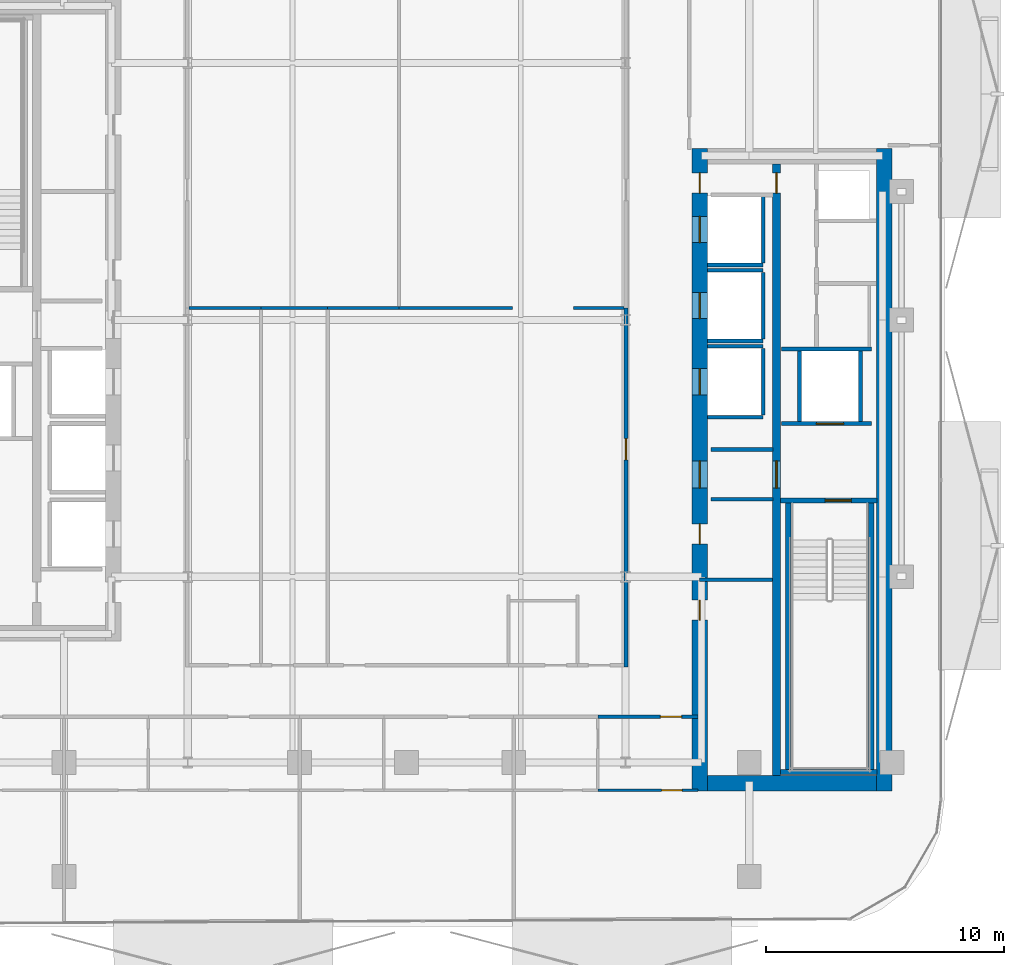
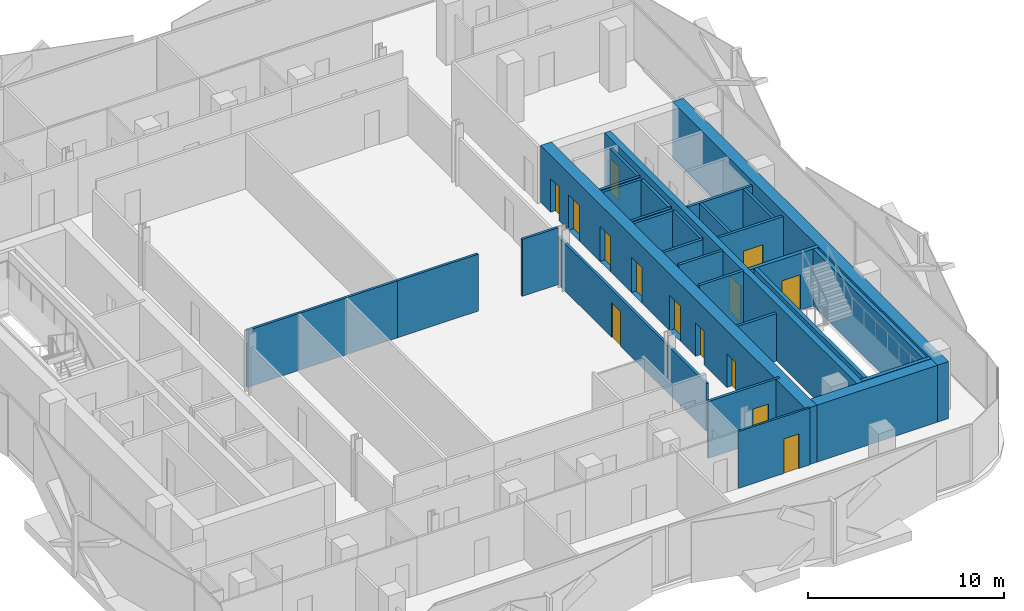
# One storey, part 5 of 17: 31 walls, 14 doors, 14 openings.
"""IFC4 building model written with IfcOpenShell, lengths in metres."""

from ifc_helpers import new_model, si_unit, direction, frame, frame_2d, origin, place, context, subcontext, project, spatial, rectangle, extrude, material, layer, layer_set, type_object, element, fill, save


model = new_model("IFC4")

# Units and contexts
model_context = context("Model", 3, precision=1e-05, world=origin(), true_north=direction((0.0, 1.0)))
body_context = subcontext(model_context, "Body", "Model", "MODEL_VIEW")
ifc_project = project(units=[si_unit("LENGTHUNIT", "METRE"), si_unit("AREAUNIT", "SQUARE_METRE"), si_unit("VOLUMEUNIT", "CUBIC_METRE"), si_unit("PLANEANGLEUNIT", "RADIAN"), si_unit("MASSUNIT", "GRAM", prefix="KILO")], contexts=[model_context])

# Site, building, storey
site_placement = place(None, origin())
site = spatial("IfcSite", under=ifc_project, at=site_placement, CompositionType="ELEMENT")
building_placement = place(site_placement, origin())
building = spatial("IfcBuilding", under=site, at=building_placement, Name="Khairoan Windgate Tower", CompositionType="ELEMENT")
storey_placement = place(building_placement, frame((0.0, 0.0, 176.39990234375)))
storey = spatial("IfcBuildingStorey", under=building, at=storey_placement, Name="L40", CompositionType="ELEMENT", Elevation=176.39990234375)

# Walls
ifc_material_1 = material(Name="Concrete C40/50", Category="concrete")
ifc_layer_1 = layer(ifc_material_1, 0.159912109375, Name="Concrete C40/50")
ifc_layer_set_1 = layer_set([ifc_layer_1], Name="Concrete C40/50")
wall_type_1 = type_object("IfcWallType", Name="Core and Hoistway Enclosure Wall", PredefinedType="STANDARD", material=ifc_layer_set_1)
wall_1_placement = place(storey_placement, frame((12.64990234375, 2.31005859375, 0.0), z_axis=(0.0, 0.0, 1.0), x_axis=(1.0, 0.0, 0.0)))
element("IfcWall", 1, at=wall_1_placement, inside=storey, type_object=wall_type_1, Name="L40 Lift PL7 Hoistway Divider S", PredefinedType="STANDARD", context=body_context, shape_type="SweptSolid", body=[
    extrude(rectangle(XDim=2.340087890625, YDim=0.159912109375, at=frame_2d((1.169921875, 0.0))), origin(), (0.0, 0.0, 1.0), 3.5400390625),
])
wall_2_placement = place(storey_placement, frame((14.989990234375, 2.39990234375, 0.0), z_axis=(0.0, 0.0, 1.0), x_axis=(0.0, 1.0, 0.0)))
element("IfcWall", 2, at=wall_2_placement, inside=storey, type_object=wall_type_1, Name="L40 Lift PL7 Hoistway Back Wall", PredefinedType="STANDARD", context=body_context, shape_type="SweptSolid", body=[
    extrude(rectangle(XDim=2.800048828125, YDim=0.159912109375, at=frame_2d((1.39990234375, 0.0))), origin(), (0.0, 0.0, 1.0), 3.5400390625),
])
for number, where, z_axis, x_axis, name in (
    (3, (12.64990234375, -0.889892578125, 0.0), (0.0, 0.0, 1.0), (1.0, 0.0, 0.0), "L40 Lift PL8 Hoistway Divider S"),
    (4, (12.64990234375, 2.090087890625, 0.0), (0.0, 0.0, 1.0), (1.0, 0.0, 0.0), "L40 Lift PL8 Hoistway Divider N"),
):
    element("IfcWall", number, at=place(storey_placement, frame(where, z_axis=z_axis, x_axis=x_axis)), inside=storey, type_object=wall_type_1, Name=name, PredefinedType="STANDARD", context=body_context, shape_type="SweptSolid", body=[
        extrude(rectangle(XDim=2.340087890625, YDim=0.159912109375, at=frame_2d((1.169921875, 0.0))), origin(), (0.0, 0.0, 1.0), 3.5400390625),
    ])
wall_3_placement = place(storey_placement, frame((14.989990234375, -0.800048828125, 0.0), z_axis=(0.0, 0.0, 1.0), x_axis=(0.0, 1.0, 0.0)))
element("IfcWall", 5, at=wall_3_placement, inside=storey, type_object=wall_type_1, Name="L40 Lift PL8 Hoistway Back Wall", PredefinedType="STANDARD", context=body_context, shape_type="SweptSolid", body=[
    extrude(rectangle(XDim=2.800048828125, YDim=0.159912109375, at=frame_2d((1.39990234375, 0.0))), origin(), (0.0, 0.0, 1.0), 3.5400390625),
])
for number, where, z_axis, x_axis, name in (
    (6, (12.64990234375, -4.090087890625, 0.0), (0.0, 0.0, 1.0), (1.0, 0.0, 0.0), "L40 Lift PL9 Hoistway Divider S"),
    (7, (12.64990234375, -1.110107421875, 0.0), (0.0, 0.0, 1.0), (1.0, 0.0, 0.0), "L40 Lift PL9 Hoistway Divider N"),
):
    element("IfcWall", number, at=place(storey_placement, frame(where, z_axis=z_axis, x_axis=x_axis)), inside=storey, type_object=wall_type_1, Name=name, PredefinedType="STANDARD", context=body_context, shape_type="SweptSolid", body=[
        extrude(rectangle(XDim=2.340087890625, YDim=0.159912109375, at=frame_2d((1.169921875, 0.0))), origin(), (0.0, 0.0, 1.0), 3.5400390625),
    ])
wall_4_placement = place(storey_placement, frame((14.989990234375, -4.0, 0.0), z_axis=(0.0, 0.0, 1.0), x_axis=(0.0, 1.0, 0.0)))
element("IfcWall", 8, at=wall_4_placement, inside=storey, type_object=wall_type_1, Name="L40 Lift PL9 Hoistway Back Wall", PredefinedType="STANDARD", context=body_context, shape_type="SweptSolid", body=[
    extrude(rectangle(XDim=2.800048828125, YDim=0.159912109375, at=frame_2d((1.39990234375, 0.0))), origin(), (0.0, 0.0, 1.0), 3.5400390625),
])

# Wall, opening, door
wall_5_placement = place(storey_placement, frame((15.75, -4.360107421875, 0.0), z_axis=(0.0, 0.0, 1.0), x_axis=(1.0, 0.0, 0.0)))
wall_5 = element("IfcWall", 9, at=wall_5_placement, inside=storey, type_object=wall_type_1, Name="L40 Core Shaft Wall SW-FL1-L40", PredefinedType="STANDARD", context=body_context, shape_type="SweptSolid", body=[
    extrude(rectangle(XDim=3.800048828125, YDim=0.159912109375, at=frame_2d((1.89990234375, 0.0))), origin(), (0.0, 0.0, 1.0), 3.5400390625),
])
opening_1_placement = place(wall_5_placement, frame((1.469970703125, 0.0, 0.0)))
opening_1 = element("IfcOpeningElement", 10, at=opening_1_placement, cuts=wall_5, Name="Opening LD-FL", PredefinedType="OPENING", context=body_context, shape_type="SweptSolid", body=[
    extrude(rectangle(XDim=1.14990234375, YDim=2.199951171875, at=frame_2d((0.574951171875, 1.10009765625))), frame((0.0, 0.08984375, 0.0), z_axis=(0.0, -1.0, 0.0), x_axis=(1.0, 0.0, 0.0)), (0.0, 0.0, 1.0), 0.179931640625),
])
ifc_material_2 = material(Name="Steel S355", Category="steel")
door_type_1 = type_object("IfcDoorType", Name="Firefighting Lift Sliding Landing Door LD-FL 1150x2200", OperationType="DOUBLE_DOOR_SLIDING", PredefinedType="DOOR", material=ifc_material_2)
door_1_placement = place(opening_1_placement, origin())
door_1 = element("IfcDoor", 11, at=door_1_placement, inside=storey, type_object=door_type_1, Name="L40 Firefighting Lift FL1 Landing Door", OperationType="DOUBLE_DOOR_SLIDING", OverallHeight=2.199951171875, OverallWidth=1.14990234375, PredefinedType="DOOR", context=body_context, shape_type="SweptSolid", body=[
    extrude(rectangle(XDim=1.14990234375, YDim=2.199951171875, at=frame_2d((0.574951171875, 1.10009765625))), frame((0.0, 0.02490234375, 0.0), z_axis=(0.0, -1.0, 0.0), x_axis=(1.0, 0.0, 0.0)), (0.0, 0.0, 1.0), 0.050048828125),
])
fill(opening_1, door_1)

# Walls
wall_6_placement = place(storey_placement, frame((15.75, -1.219970703125, 0.0), z_axis=(0.0, 0.0, 1.0), x_axis=(1.0, 0.0, 0.0)))
element("IfcWall", 12, at=wall_6_placement, inside=storey, type_object=wall_type_1, Name="L40 Core Shaft Wall SW-FL1T-L40", PredefinedType="STANDARD", context=body_context, shape_type="SweptSolid", body=[
    extrude(rectangle(XDim=3.800048828125, YDim=0.159912109375, at=frame_2d((1.89990234375, 0.0))), origin(), (0.0, 0.0, 1.0), 3.5400390625),
])
for number, where, z_axis, x_axis, name in (
    (13, (16.52001953125, -4.280029296875, 0.0), (0.0, 0.0, 1.0), (0.0, 1.0, 0.0), "L40 Core Shaft Wall SW-FL1W-L40"),
    (14, (19.080078125, -4.280029296875, 0.0), (0.0, 0.0, 1.0), (0.0, 1.0, 0.0), "L40 Core Shaft Wall SW-FL1E-L40"),
):
    element("IfcWall", number, at=place(storey_placement, frame(where, z_axis=z_axis, x_axis=x_axis)), inside=storey, type_object=wall_type_1, Name=name, PredefinedType="STANDARD", context=body_context, shape_type="SweptSolid", body=[
        extrude(rectangle(XDim=2.97998046875, YDim=0.159912109375, at=frame_2d((1.489990234375, 0.0))), origin(), (0.0, 0.0, 1.0), 3.5400390625),
    ])
for number, where, z_axis, x_axis, name in (
    (15, (12.800048828125, -5.449951171875, 0.0), (0.0, 0.0, 1.0), (1.0, 0.0, 0.0), "L40 Core Shaft Wall SW-EV1-L40"),
    (16, (12.800048828125, -7.5400390625, 0.0), (0.0, 0.0, 1.0), (1.0, 0.0, 0.0), "L40 Core Shaft Wall SW-EV2-L40"),
):
    element("IfcWall", number, at=place(storey_placement, frame(where, z_axis=z_axis, x_axis=x_axis)), inside=storey, type_object=wall_type_1, Name=name, PredefinedType="STANDARD", context=body_context, shape_type="SweptSolid", body=[
        extrude(rectangle(XDim=2.599853515625, YDim=0.159912109375, at=frame_2d((1.2998046875, 0.0))), origin(), (0.0, 0.0, 1.0), 3.5400390625),
    ])
ifc_material_3 = material(Name="Acoustic Fire-Rated Gypsum Partition", Category="gypsum")
ifc_layer_2 = layer(ifc_material_3, 0.139892578125, Name="Acoustic Fire-Rated Gypsum Partition")
ifc_layer_set_2 = layer_set([ifc_layer_2], Name="Acoustic Fire-Rated Gypsum Partition")
wall_type_2 = type_object("IfcWallType", Name="Inter-Tenancy Compartment Wall", PredefinedType="PARTITIONING", material=ifc_layer_set_2)
wall_7_placement = place(storey_placement, frame((-9.14501953125, 0.5, 0.0), z_axis=(0.0, 0.0, 1.0), x_axis=(1.0, 0.0, 0.0)))
element("IfcWall", 17, at=wall_7_placement, inside=storey, type_object=wall_type_2, Name="L40 Interior Partition 045", PredefinedType="PARTITIONING", context=body_context, shape_type="SweptSolid", body=[
    extrude(rectangle(XDim=3.02490234375, YDim=0.139892578125, at=frame_2d((1.512451171875, 0.0))), origin(), (0.0, 0.0, 1.0), 3.5400390625),
])
wall_8_placement = place(storey_placement, frame((-6.1201171875, 0.5, 0.0), z_axis=(0.0, 0.0, 1.0), x_axis=(1.0, 0.0, 0.0)))
element("IfcWall", 18, at=wall_8_placement, inside=storey, type_object=wall_type_2, Name="L40 Interior Partition 047", PredefinedType="PARTITIONING", context=body_context, shape_type="SweptSolid", body=[
    extrude(rectangle(XDim=2.800048828125, YDim=0.139892578125, at=frame_2d((1.39990234375, 0.0))), origin(), (0.0, 0.0, 1.0), 3.5400390625),
])
wall_9_placement = place(storey_placement, frame((-3.320068359375, 0.5, 0.0), z_axis=(0.0, 0.0, 1.0), x_axis=(1.0, 0.0, 0.0)))
element("IfcWall", 19, at=wall_9_placement, inside=storey, type_object=wall_type_2, Name="L40 Interior Partition 049", PredefinedType="PARTITIONING", context=body_context, shape_type="SweptSolid", body=[
    extrude(rectangle(XDim=3.0, YDim=0.139892578125, at=frame_2d((1.5, 0.0))), origin(), (0.0, 0.0, 1.0), 3.5400390625),
])
wall_10_placement = place(storey_placement, frame((-0.320068359375, 0.5, 0.0), z_axis=(0.0, 0.0, 1.0), x_axis=(1.0, 0.0, 0.0)))
element("IfcWall", 20, at=wall_10_placement, inside=storey, type_object=wall_type_2, Name="L40 Interior Partition 050", PredefinedType="PARTITIONING", context=body_context, shape_type="SweptSolid", body=[
    extrude(rectangle(XDim=4.760009765625, YDim=0.139892578125, at=frame_2d((2.3798828125, 0.0))), origin(), (0.0, 0.0, 1.0), 3.5400390625),
])
wall_11_placement = place(storey_placement, frame((7.02001953125, 0.5, 0.0), z_axis=(0.0, 0.0, 1.0), x_axis=(1.0, 0.0, 0.0)))
element("IfcWall", 21, at=wall_11_placement, inside=storey, type_object=wall_type_2, Name="L40 Interior Partition 052", PredefinedType="PARTITIONING", context=body_context, shape_type="SweptSolid", body=[
    extrude(rectangle(XDim=2.125, YDim=0.139892578125, at=frame_2d((1.0625, 0.0))), origin(), (0.0, 0.0, 1.0), 3.5400390625),
])

# Wall, opening, door
ifc_material_4 = material(Name="Gypsum Stud Partition", Category="gypsum")
ifc_layer_3 = layer(ifc_material_4, 0.1201171875, Name="Gypsum Stud Partition")
ifc_layer_set_3 = layer_set([ifc_layer_3], Name="Gypsum Stud Partition")
wall_type_3 = type_object("IfcWallType", Name="Internal Room Partition Wall", PredefinedType="PARTITIONING", material=ifc_layer_set_3)
wall_12_placement = place(storey_placement, frame((8.0400390625, -19.77001953125, 0.0), z_axis=(0.0, 0.0, 1.0), x_axis=(1.0, 0.0, 0.0)))
wall_12 = element("IfcWall", 22, at=wall_12_placement, inside=storey, type_object=wall_type_3, Name="L40 Interior Partition 092", PredefinedType="PARTITIONING", context=body_context, shape_type="SweptSolid", body=[
    extrude(rectangle(XDim=4.199951171875, YDim=0.1201171875, at=frame_2d((2.10009765625, 0.0))), origin(), (0.0, 0.0, 1.0), 3.5400390625),
])
opening_2_placement = place(wall_12_placement, frame((2.67822265625, 0.0, 0.0)))
opening_2 = element("IfcOpeningElement", 23, at=opening_2_placement, cuts=wall_12, Name="Opening ID-RM", PredefinedType="OPENING", context=body_context, shape_type="SweptSolid", body=[
    extrude(rectangle(XDim=0.860107421875, YDim=2.14990234375, at=frame_2d((0.43017578125, 1.074951171875))), frame((0.0, 0.070068359375, 0.0), z_axis=(0.0, -1.0, 0.0), x_axis=(1.0, 0.0, 0.0)), (0.0, 0.0, 1.0), 0.14013671875),
])
ifc_material_5 = material(Name="Teak Veneer Timber Leaf", Category="wood")
door_type_2 = type_object("IfcDoorType", Name="Internal Bedroom and Office Door ID-RM 860x2150", OperationType="NOTDEFINED", PredefinedType="DOOR", material=ifc_material_5)
door_2_placement = place(opening_2_placement, origin())
door_2 = element("IfcDoor", 24, at=door_2_placement, inside=storey, type_object=door_type_2, Name="L40 L40-64-L40-65 Door", OperationType="SINGLE_SWING_LEFT", OverallHeight=2.14990234375, OverallWidth=0.860107421875, PredefinedType="DOOR", context=body_context, shape_type="SweptSolid", body=[
    extrude(rectangle(XDim=0.860107421875, YDim=2.14990234375, at=frame_2d((0.43017578125, 1.074951171875))), frame((0.0, 0.02490234375, 0.0), z_axis=(0.0, -1.0, 0.0), x_axis=(1.0, 0.0, 0.0)), (0.0, 0.0, 1.0), 0.050048828125),
])
fill(opening_2, door_2)

# Wall
ifc_material_6 = material(Name="Concrete C40/50", Category="concrete")
ifc_layer_4 = layer(ifc_material_6, 0.159912109375, Name="Concrete C40/50")
ifc_layer_set_4 = layer_set([ifc_layer_4], Name="Concrete C40/50")
wall_type_4 = type_object("IfcWallType", Name="Plant and Refuge Compartment Wall", PredefinedType="PARTITIONING", material=ifc_layer_set_4)
wall_13_placement = place(storey_placement, frame((12.31005859375, -10.919921875, 0.0), z_axis=(0.0, 0.0, 1.0), x_axis=(1.0, 0.0, 0.0)))
element("IfcWall", 25, at=wall_13_placement, inside=storey, type_object=wall_type_4, Name="L40 Interior Partition 010", PredefinedType="PARTITIONING", context=body_context, shape_type="SweptSolid", body=[
    extrude(rectangle(XDim=3.06494140625, YDim=0.159912109375, at=frame_2d((1.532470703125, 0.0))), origin(), (0.0, 0.0, 1.0), 2.9521484375),
])

# Wall, opening, door
ifc_material_7 = material(Name="Acoustic Fire-Rated Gypsum Partition", Category="gypsum")
ifc_layer_5 = layer(ifc_material_7, 0.14990234375, Name="Acoustic Fire-Rated Gypsum Partition")
ifc_layer_set_5 = layer_set([ifc_layer_5], Name="Acoustic Fire-Rated Gypsum Partition")
wall_type_5 = type_object("IfcWallType", Name="Rated Corridor Partition Wall", PredefinedType="PARTITIONING", material=ifc_layer_set_5)
wall_14_placement = place(storey_placement, frame((9.219970703125, -14.594970703125, 0.0), z_axis=(0.0, 0.0, 1.0), x_axis=(0.0, 1.0, 0.0)))
wall_14 = element("IfcWall", 26, at=wall_14_placement, inside=storey, type_object=wall_type_5, Name="L40 Interior Partition 013", PredefinedType="PARTITIONING", context=body_context, shape_type="SweptSolid", body=[
    extrude(rectangle(XDim=15.094970703125, YDim=0.14990234375, at=frame_2d((7.54736328125, 0.0))), origin(), (0.0, 0.0, 1.0), 2.9521484375),
])
opening_3_placement = place(wall_14_placement, frame((8.70654296875, 0.0, 0.0)))
opening_3 = element("IfcOpeningElement", 27, at=opening_3_placement, cuts=wall_14, Name="Opening FD-ENT", PredefinedType="OPENING", context=body_context, shape_type="SweptSolid", body=[
    extrude(rectangle(XDim=0.89990234375, YDim=2.14990234375, at=frame_2d((0.449951171875, 1.074951171875))), frame((0.0, 0.0849609375, 0.0), z_axis=(0.0, -1.0, 0.0), x_axis=(1.0, 0.0, 0.0)), (0.0, 0.0, 1.0), 0.169921875),
])
ifc_material_8 = material(Name="Timber Fire-Rated Core", Category="wood")
door_type_3 = type_object("IfcDoorType", Name="Unit and Office Fire Entrance Door FD-ENT 900x2150", OperationType="NOTDEFINED", PredefinedType="DOOR", material=ifc_material_8)
door_3_placement = place(opening_3_placement, origin())
door_3 = element("IfcDoor", 28, at=door_3_placement, inside=storey, type_object=door_type_3, Name="L40 L40-29-L40-36 Door", OperationType="SINGLE_SWING_LEFT", OverallHeight=2.14990234375, OverallWidth=0.89990234375, PredefinedType="DOOR", context=body_context, shape_type="SweptSolid", body=[
    extrude(rectangle(XDim=0.89990234375, YDim=2.14990234375, at=frame_2d((0.449951171875, 1.074951171875))), frame((0.0, 0.02490234375, 0.0), z_axis=(0.0, -1.0, 0.0), x_axis=(1.0, 0.0, 0.0)), (0.0, 0.0, 1.0), 0.050048828125),
])
fill(opening_3, door_3)

wall_15_placement = place(storey_placement, frame((8.0400390625, -16.679931640625, 0.0), z_axis=(0.0, 0.0, 1.0), x_axis=(1.0, 0.0, 0.0)))
wall_15 = element("IfcWall", 29, at=wall_15_placement, inside=storey, type_object=wall_type_5, Name="L40 Interior Partition 042", PredefinedType="PARTITIONING", context=body_context, shape_type="SweptSolid", body=[
    extrude(rectangle(XDim=4.199951171875, YDim=0.14990234375, at=frame_2d((2.10009765625, 0.0))), origin(), (0.0, 0.0, 1.0), 3.5400390625),
])
opening_4_placement = place(wall_15_placement, frame((2.62353515625, 0.0, 0.0)))
opening_4 = element("IfcOpeningElement", 30, at=opening_4_placement, cuts=wall_15, Name="Opening FD-ENT", PredefinedType="OPENING", context=body_context, shape_type="SweptSolid", body=[
    extrude(rectangle(XDim=0.89990234375, YDim=2.14990234375, at=frame_2d((0.449951171875, 1.074951171875))), frame((0.0, 0.0849609375, 0.0), z_axis=(0.0, -1.0, 0.0), x_axis=(1.0, 0.0, 0.0)), (0.0, 0.0, 1.0), 0.169921875),
])
door_4_placement = place(opening_4_placement, origin())
door_4 = element("IfcDoor", 31, at=door_4_placement, inside=storey, type_object=door_type_3, Name="L40 L40-31-L40-64 Door", OperationType="SINGLE_SWING_LEFT", OverallHeight=2.14990234375, OverallWidth=0.89990234375, PredefinedType="DOOR", context=body_context, shape_type="SweptSolid", body=[
    extrude(rectangle(XDim=0.89990234375, YDim=2.14990234375, at=frame_2d((0.449951171875, 1.074951171875))), frame((0.0, 0.02490234375, 0.0), z_axis=(0.0, -1.0, 0.0), x_axis=(1.0, 0.0, 0.0)), (0.0, 0.0, 1.0), 0.050048828125),
])
fill(opening_4, door_4)

# Wall, openings, doors
ifc_material_9 = material(Name="Concrete C60/75", Category="concrete")
ifc_layer_6 = layer(ifc_material_9, 0.64990234375, Name="Concrete C60/75")
ifc_layer_set_6 = layer_set([ifc_layer_6], Name="Concrete C60/75")
wall_type_6 = type_object("IfcWallType", Name="Shear Wall CW-E2 650mm", PredefinedType="SHEAR", material=ifc_layer_set_6)
wall_16_placement = place(storey_placement, frame((12.324951171875, -19.800048828125, 0.0), z_axis=(0.0, 0.0, 1.0), x_axis=(0.0, 1.0, 0.0)))
wall_16 = element("IfcWall", 32, at=wall_16_placement, inside=storey, type_object=wall_type_6, Name="E Core West Shear Wall L40", PredefinedType="SHEAR", context=body_context, shape_type="SweptSolid", body=[
    extrude(rectangle(XDim=27.0, YDim=0.64990234375, at=frame_2d((13.5, 0.0))), origin(), (0.0, 0.0, 1.0), 3.5400390625),
])
opening_5_placement = place(wall_16_placement, frame((23.050048828125, 0.0, 0.0)))
opening_5 = element("IfcOpeningElement", 33, at=opening_5_placement, cuts=wall_16, Name="Opening LD-PL", PredefinedType="OPENING", context=body_context, shape_type="SweptSolid", body=[
    extrude(rectangle(XDim=1.10009765625, YDim=2.199951171875, at=frame_2d((0.550048828125, 1.10009765625))), frame((0.0, 0.3349609375, 0.0), z_axis=(0.0, -1.0, 0.0), x_axis=(1.0, 0.0, 0.0)), (0.0, 0.0, 1.0), 0.669921875),
])
opening_6_placement = place(wall_16_placement, frame((19.85009765625, 0.0, 0.0)))
opening_6 = element("IfcOpeningElement", 34, at=opening_6_placement, cuts=wall_16, Name="Opening LD-PL", PredefinedType="OPENING", context=body_context, shape_type="SweptSolid", body=[
    extrude(rectangle(XDim=1.10009765625, YDim=2.199951171875, at=frame_2d((0.550048828125, 1.10009765625))), frame((0.0, 0.3349609375, 0.0), z_axis=(0.0, -1.0, 0.0), x_axis=(1.0, 0.0, 0.0)), (0.0, 0.0, 1.0), 0.669921875),
])
opening_7_placement = place(wall_16_placement, frame((16.64990234375, 0.0, 0.0)))
opening_7 = element("IfcOpeningElement", 35, at=opening_7_placement, cuts=wall_16, Name="Opening LD-PL", PredefinedType="OPENING", context=body_context, shape_type="SweptSolid", body=[
    extrude(rectangle(XDim=1.10009765625, YDim=2.199951171875, at=frame_2d((0.550048828125, 1.10009765625))), frame((0.0, 0.3349609375, 0.0), z_axis=(0.0, -1.0, 0.0), x_axis=(1.0, 0.0, 0.0)), (0.0, 0.0, 1.0), 0.669921875),
])
opening_8_placement = place(wall_16_placement, frame((7.175048828125, 0.0, 0.0)))
opening_8 = element("IfcOpeningElement", 36, at=opening_8_placement, cuts=wall_16, Name="Opening FD-SRV", PredefinedType="OPENING", context=body_context, shape_type="SweptSolid", body=[
    extrude(rectangle(XDim=0.85009765625, YDim=2.10009765625, at=frame_2d((0.425048828125, 1.050048828125))), frame((0.0, 0.3349609375, 0.0), z_axis=(0.0, -1.0, 0.0), x_axis=(1.0, 0.0, 0.0)), (0.0, 0.0, 1.0), 0.669921875),
])
opening_9_placement = place(wall_16_placement, frame((10.375, 0.0, 0.0)))
opening_9 = element("IfcOpeningElement", 37, at=opening_9_placement, cuts=wall_16, Name="Opening FD-SRV", PredefinedType="OPENING", context=body_context, shape_type="SweptSolid", body=[
    extrude(rectangle(XDim=0.85009765625, YDim=2.10009765625, at=frame_2d((0.425048828125, 1.050048828125))), frame((0.0, 0.3349609375, 0.0), z_axis=(0.0, -1.0, 0.0), x_axis=(1.0, 0.0, 0.0)), (0.0, 0.0, 1.0), 0.669921875),
])
opening_10_placement = place(wall_16_placement, frame((12.72509765625, 0.0, 0.0)))
opening_10 = element("IfcOpeningElement", 38, at=opening_10_placement, cuts=wall_16, Name="Opening FD-FFL", PredefinedType="OPENING", context=body_context, shape_type="SweptSolid", body=[
    extrude(rectangle(XDim=1.14990234375, YDim=2.199951171875, at=frame_2d((0.574951171875, 1.10009765625))), frame((0.0, 0.3349609375, 0.0), z_axis=(0.0, -1.0, 0.0), x_axis=(1.0, 0.0, 0.0)), (0.0, 0.0, 1.0), 0.669921875),
])
opening_11_placement = place(wall_16_placement, frame((25.125, 0.0, 0.0)))
opening_11 = element("IfcOpeningElement", 39, at=opening_11_placement, cuts=wall_16, Name="Opening FD-SRV", PredefinedType="OPENING", context=body_context, shape_type="SweptSolid", body=[
    extrude(rectangle(XDim=0.85009765625, YDim=2.10009765625, at=frame_2d((0.425048828125, 1.050048828125))), frame((0.0, 0.3349609375, 0.0), z_axis=(0.0, -1.0, 0.0), x_axis=(1.0, 0.0, 0.0)), (0.0, 0.0, 1.0), 0.669921875),
])
ifc_material_10 = material(Name="Steel S355", Category="steel")
door_type_4 = type_object("IfcDoorType", Name="Core Service and Riser Fire Door FD-SRV 850x2100", OperationType="NOTDEFINED", PredefinedType="DOOR", material=ifc_material_10)
door_5_placement = place(opening_8_placement, origin())
door_5 = element("IfcDoor", 40, at=door_5_placement, inside=storey, type_object=door_type_4, Name="L40 East Core Service Room Door 1", OperationType="SINGLE_SWING_RIGHT", OverallHeight=2.10009765625, OverallWidth=0.85009765625, PredefinedType="DOOR", context=body_context, shape_type="SweptSolid", body=[
    extrude(rectangle(XDim=0.85009765625, YDim=2.10009765625, at=frame_2d((0.425048828125, 1.050048828125))), frame((0.0, 0.02490234375, 0.0), z_axis=(0.0, -1.0, 0.0), x_axis=(1.0, 0.0, 0.0)), (0.0, 0.0, 1.0), 0.050048828125),
])
fill(opening_8, door_5)
door_6_placement = place(opening_9_placement, origin())
door_6 = element("IfcDoor", 41, at=door_6_placement, inside=storey, type_object=door_type_4, Name="L40 East Core Service Room Door 2", OperationType="SINGLE_SWING_LEFT", OverallHeight=2.10009765625, OverallWidth=0.85009765625, PredefinedType="DOOR", context=body_context, shape_type="SweptSolid", body=[
    extrude(rectangle(XDim=0.85009765625, YDim=2.10009765625, at=frame_2d((0.425048828125, 1.050048828125))), frame((0.0, 0.02490234375, 0.0), z_axis=(0.0, -1.0, 0.0), x_axis=(1.0, 0.0, 0.0)), (0.0, 0.0, 1.0), 0.050048828125),
])
fill(opening_9, door_6)
door_7_placement = place(opening_11_placement, origin())
door_7 = element("IfcDoor", 42, at=door_7_placement, inside=storey, type_object=door_type_4, Name="L40 East Core Service Vestibule Outer Door", OperationType="SINGLE_SWING_RIGHT", OverallHeight=2.10009765625, OverallWidth=0.85009765625, PredefinedType="DOOR", context=body_context, shape_type="SweptSolid", body=[
    extrude(rectangle(XDim=0.85009765625, YDim=2.10009765625, at=frame_2d((0.425048828125, 1.050048828125))), frame((0.0, 0.02490234375, 0.0), z_axis=(0.0, -1.0, 0.0), x_axis=(1.0, 0.0, 0.0)), (0.0, 0.0, 1.0), 0.050048828125),
])
fill(opening_11, door_7)
ifc_material_11 = material(Name="Steel S355", Category="steel")
door_type_5 = type_object("IfcDoorType", Name="Firefighting Lobby Fire Door FD-FFL 1150x2200", OperationType="NOTDEFINED", PredefinedType="DOOR", material=ifc_material_11)
door_8_placement = place(opening_10_placement, origin())
door_8 = element("IfcDoor", 43, at=door_8_placement, inside=storey, type_object=door_type_5, Name="L40 East Core Vestibule Entry Door", OperationType="SINGLE_SWING_RIGHT", OverallHeight=2.199951171875, OverallWidth=1.14990234375, PredefinedType="DOOR", context=body_context, shape_type="SweptSolid", body=[
    extrude(rectangle(XDim=1.14990234375, YDim=2.199951171875, at=frame_2d((0.574951171875, 1.10009765625))), frame((0.0, 0.02490234375, 0.0), z_axis=(0.0, -1.0, 0.0), x_axis=(1.0, 0.0, 0.0)), (0.0, 0.0, 1.0), 0.050048828125),
])
fill(opening_10, door_8)
ifc_material_12 = material(Name="Anodised Bronze Aluminium 6063-T6", Category="aluminium")
door_type_6 = type_object("IfcDoorType", Name="Passenger Lift Sliding Landing Door LD-PL 1100x2200", OperationType="DOUBLE_DOOR_SLIDING", PredefinedType="DOOR", material=ifc_material_12)
door_9_placement = place(opening_5_placement, origin())
door_9 = element("IfcDoor", 44, at=door_9_placement, inside=storey, type_object=door_type_6, Name="L40 Lift PL7 Sliding Landing Door", OperationType="DOUBLE_DOOR_SLIDING", OverallHeight=2.199951171875, OverallWidth=1.10009765625, PredefinedType="DOOR", context=body_context, shape_type="SweptSolid", body=[
    extrude(rectangle(XDim=1.10009765625, YDim=2.199951171875, at=frame_2d((0.550048828125, 1.10009765625))), frame((0.0, 0.02490234375, 0.0), z_axis=(0.0, -1.0, 0.0), x_axis=(1.0, 0.0, 0.0)), (0.0, 0.0, 1.0), 0.050048828125),
])
fill(opening_5, door_9)
door_10_placement = place(opening_6_placement, origin())
door_10 = element("IfcDoor", 45, at=door_10_placement, inside=storey, type_object=door_type_6, Name="L40 Lift PL8 Sliding Landing Door", OperationType="DOUBLE_DOOR_SLIDING", OverallHeight=2.199951171875, OverallWidth=1.10009765625, PredefinedType="DOOR", context=body_context, shape_type="SweptSolid", body=[
    extrude(rectangle(XDim=1.10009765625, YDim=2.199951171875, at=frame_2d((0.550048828125, 1.10009765625))), frame((0.0, 0.02490234375, 0.0), z_axis=(0.0, -1.0, 0.0), x_axis=(1.0, 0.0, 0.0)), (0.0, 0.0, 1.0), 0.050048828125),
])
fill(opening_6, door_10)
door_11_placement = place(opening_7_placement, origin())
door_11 = element("IfcDoor", 46, at=door_11_placement, inside=storey, type_object=door_type_6, Name="L40 Lift PL9 Sliding Landing Door", OperationType="DOUBLE_DOOR_SLIDING", OverallHeight=2.199951171875, OverallWidth=1.10009765625, PredefinedType="DOOR", context=body_context, shape_type="SweptSolid", body=[
    extrude(rectangle(XDim=1.10009765625, YDim=2.199951171875, at=frame_2d((0.550048828125, 1.10009765625))), frame((0.0, 0.02490234375, 0.0), z_axis=(0.0, -1.0, 0.0), x_axis=(1.0, 0.0, 0.0)), (0.0, 0.0, 1.0), 0.050048828125),
])
fill(opening_7, door_11)

# Walls
wall_17_placement = place(storey_placement, frame((20.074951171875, -19.800048828125, 0.0), z_axis=(0.0, 0.0, 1.0), x_axis=(0.0, 1.0, 0.0)))
element("IfcWall", 47, at=wall_17_placement, inside=storey, type_object=wall_type_6, Name="E Core East Shear Wall L40", PredefinedType="SHEAR", context=body_context, shape_type="SweptSolid", body=[
    extrude(rectangle(XDim=27.0, YDim=0.64990234375, at=frame_2d((13.5, 0.0))), origin(), (0.0, 0.0, 1.0), 3.5400390625),
])
wall_18_placement = place(storey_placement, frame((12.64990234375, -19.47509765625, 0.0), z_axis=(0.0, 0.0, 1.0), x_axis=(1.0, 0.0, 0.0)))
element("IfcWall", 48, at=wall_18_placement, inside=storey, type_object=wall_type_6, Name="E Core South Shear Wall L40", PredefinedType="SHEAR", context=body_context, shape_type="SweptSolid", body=[
    extrude(rectangle(XDim=7.10009765625, YDim=0.64990234375, at=frame_2d((3.550048828125, 0.0))), origin(), (0.0, 0.0, 1.0), 3.5400390625),
])

# Wall, openings, doors
ifc_material_13 = material(Name="Concrete C60/75", Category="concrete")
ifc_layer_7 = layer(ifc_material_13, 0.35009765625, Name="Concrete C60/75")
ifc_layer_set_7 = layer_set([ifc_layer_7], Name="Concrete C60/75")
wall_type_7 = type_object("IfcWallType", Name="Shear Wall SW-1 350mm", PredefinedType="SHEAR", material=ifc_layer_set_7)
wall_19_placement = place(storey_placement, frame((15.550048828125, -19.14990234375, 0.0), z_axis=(0.0, 0.0, 1.0), x_axis=(0.0, 1.0, 0.0)))
wall_19 = element("IfcWall", 49, at=wall_19_placement, inside=storey, type_object=wall_type_7, Name="E Core Spine Shear Wall L40", PredefinedType="SHEAR", context=body_context, shape_type="SweptSolid", body=[
    extrude(rectangle(XDim=25.699951171875, YDim=0.35009765625, at=frame_2d((12.85009765625, 0.0))), origin(), (0.0, 0.0, 1.0), 3.5400390625),
])
opening_12_placement = place(wall_19_placement, frame((12.074951171875, 0.0, 0.0)))
opening_12 = element("IfcOpeningElement", 50, at=opening_12_placement, cuts=wall_19, Name="Opening FD-FFL", PredefinedType="OPENING", context=body_context, shape_type="SweptSolid", body=[
    extrude(rectangle(XDim=1.14990234375, YDim=2.199951171875, at=frame_2d((0.574951171875, 1.10009765625))), frame((0.0, 0.18505859375, 0.0), z_axis=(0.0, -1.0, 0.0), x_axis=(1.0, 0.0, 0.0)), (0.0, 0.0, 1.0), 0.3701171875),
])
opening_13_placement = place(wall_19_placement, frame((24.47509765625, 0.0, 0.0)))
opening_13 = element("IfcOpeningElement", 51, at=opening_13_placement, cuts=wall_19, Name="Opening FD-SRV", PredefinedType="OPENING", context=body_context, shape_type="SweptSolid", body=[
    extrude(rectangle(XDim=0.85009765625, YDim=2.10009765625, at=frame_2d((0.425048828125, 1.050048828125))), frame((0.0, 0.18505859375, 0.0), z_axis=(0.0, -1.0, 0.0), x_axis=(1.0, 0.0, 0.0)), (0.0, 0.0, 1.0), 0.3701171875),
])
door_12_placement = place(opening_13_placement, origin())
door_12 = element("IfcDoor", 52, at=door_12_placement, inside=storey, type_object=door_type_4, Name="L40 East Core Service Passage Inner Door", OperationType="SINGLE_SWING_LEFT", OverallHeight=2.10009765625, OverallWidth=0.85009765625, PredefinedType="DOOR", context=body_context, shape_type="SweptSolid", body=[
    extrude(rectangle(XDim=0.85009765625, YDim=2.10009765625, at=frame_2d((0.425048828125, 1.050048828125))), frame((0.0, 0.02490234375, 0.0), z_axis=(0.0, -1.0, 0.0), x_axis=(1.0, 0.0, 0.0)), (0.0, 0.0, 1.0), 0.050048828125),
])
fill(opening_13, door_12)
door_13_placement = place(opening_12_placement, origin())
door_13 = element("IfcDoor", 53, at=door_13_placement, inside=storey, type_object=door_type_5, Name="L40 East Firefighting Lobby Fire Door", OperationType="SINGLE_SWING_LEFT", OverallHeight=2.199951171875, OverallWidth=1.14990234375, PredefinedType="DOOR", context=body_context, shape_type="SweptSolid", body=[
    extrude(rectangle(XDim=1.14990234375, YDim=2.199951171875, at=frame_2d((0.574951171875, 1.10009765625))), frame((0.0, 0.02490234375, 0.0), z_axis=(0.0, -1.0, 0.0), x_axis=(1.0, 0.0, 0.0)), (0.0, 0.0, 1.0), 0.050048828125),
])
fill(opening_12, door_13)

# Walls
ifc_material_14 = material(Name="Concrete C50/60", Category="concrete")
ifc_layer_8 = layer(ifc_material_14, 0.219970703125, Name="Concrete C50/60")
ifc_layer_set_8 = layer_set([ifc_layer_8], Name="Concrete C50/60")
wall_type_8 = type_object("IfcWallType", Name="Shear Wall SW-ST 220mm", PredefinedType="SHEAR", material=ifc_layer_set_8)
for number, where, z_axis, x_axis, name in (
    (54, (16.0400390625, -19.010009765625, 0.0), (0.0, 0.0, 1.0), (0.0, 1.0, 0.0), "L40 Stair ST1 West Bearing Wall"),
    (55, (19.530029296875, -19.010009765625, 0.0), (0.0, 0.0, 1.0), (0.0, 1.0, 0.0), "L40 Stair ST1 East Bearing Wall"),
):
    element("IfcWall", number, at=place(storey_placement, frame(where, z_axis=z_axis, x_axis=x_axis)), inside=storey, type_object=wall_type_8, Name=name, PredefinedType="SHEAR", context=body_context, shape_type="SweptSolid", body=[
        extrude(rectangle(XDim=11.419921875, YDim=0.219970703125, at=frame_2d((5.7099609375, 0.0))), origin(), (0.0, 0.0, 1.0), 3.5400390625),
    ])
wall_20_placement = place(storey_placement, frame((15.705078125, -19.010009765625, 0.0), z_axis=(0.0, 0.0, 1.0), x_axis=(1.0, 0.0, 0.0)))
element("IfcWall", 56, at=wall_20_placement, inside=storey, type_object=wall_type_8, Name="L40 Stair ST1 South Bearing Wall", PredefinedType="SHEAR", context=body_context, shape_type="SweptSolid", body=[
    extrude(rectangle(XDim=4.06494140625, YDim=0.219970703125, at=frame_2d((2.032470703125, 0.0))), origin(), (0.0, 0.0, 1.0), 3.5400390625),
])

# Wall, opening, door
wall_21_placement = place(storey_placement, frame((19.77001953125, -7.590087890625, 0.0), z_axis=(0.0, 0.0, 1.0), x_axis=(-1.0, 0.0, 0.0)))
wall_21 = element("IfcWall", 57, at=wall_21_placement, inside=storey, type_object=wall_type_8, Name="L40 Stair ST1 North Bearing Wall", PredefinedType="SHEAR", context=body_context, shape_type="SweptSolid", body=[
    extrude(rectangle(XDim=4.06494140625, YDim=0.219970703125, at=frame_2d((2.032470703125, 0.0))), origin(), (0.0, 0.0, 1.0), 3.5400390625),
])
opening_14_placement = place(wall_21_placement, frame((1.080078125, 0.0, 0.0)))
opening_14 = element("IfcOpeningElement", 58, at=opening_14_placement, cuts=wall_21, Name="Opening FD-ST", PredefinedType="OPENING", context=body_context, shape_type="SweptSolid", body=[
    extrude(rectangle(XDim=1.10009765625, YDim=2.199951171875, at=frame_2d((0.550048828125, 1.10009765625))), frame((0.0, 0.119873046875, 0.0), z_axis=(0.0, -1.0, 0.0), x_axis=(1.0, 0.0, 0.0)), (0.0, 0.0, 1.0), 0.239990234375),
])
ifc_material_15 = material(Name="Steel S355", Category="steel")
door_type_7 = type_object("IfcDoorType", Name="Smokeproof Stair Fire Door FD-ST 1100x2200", OperationType="NOTDEFINED", PredefinedType="DOOR", material=ifc_material_15)
door_14_placement = place(opening_14_placement, origin())
door_14 = element("IfcDoor", 59, at=door_14_placement, inside=storey, type_object=door_type_7, Name="L40 Stair ST1 Fire Door", OperationType="SINGLE_SWING_RIGHT", OverallHeight=2.199951171875, OverallWidth=1.10009765625, PredefinedType="DOOR", context=body_context, shape_type="SweptSolid", body=[
    extrude(rectangle(XDim=1.10009765625, YDim=2.199951171875, at=frame_2d((0.550048828125, 1.10009765625))), frame((0.0, 0.02490234375, 0.0), z_axis=(0.0, -1.0, 0.0), x_axis=(1.0, 0.0, 0.0)), (0.0, 0.0, 1.0), 0.050048828125),
])
fill(opening_14, door_14)

save(model, "model.ifc")
